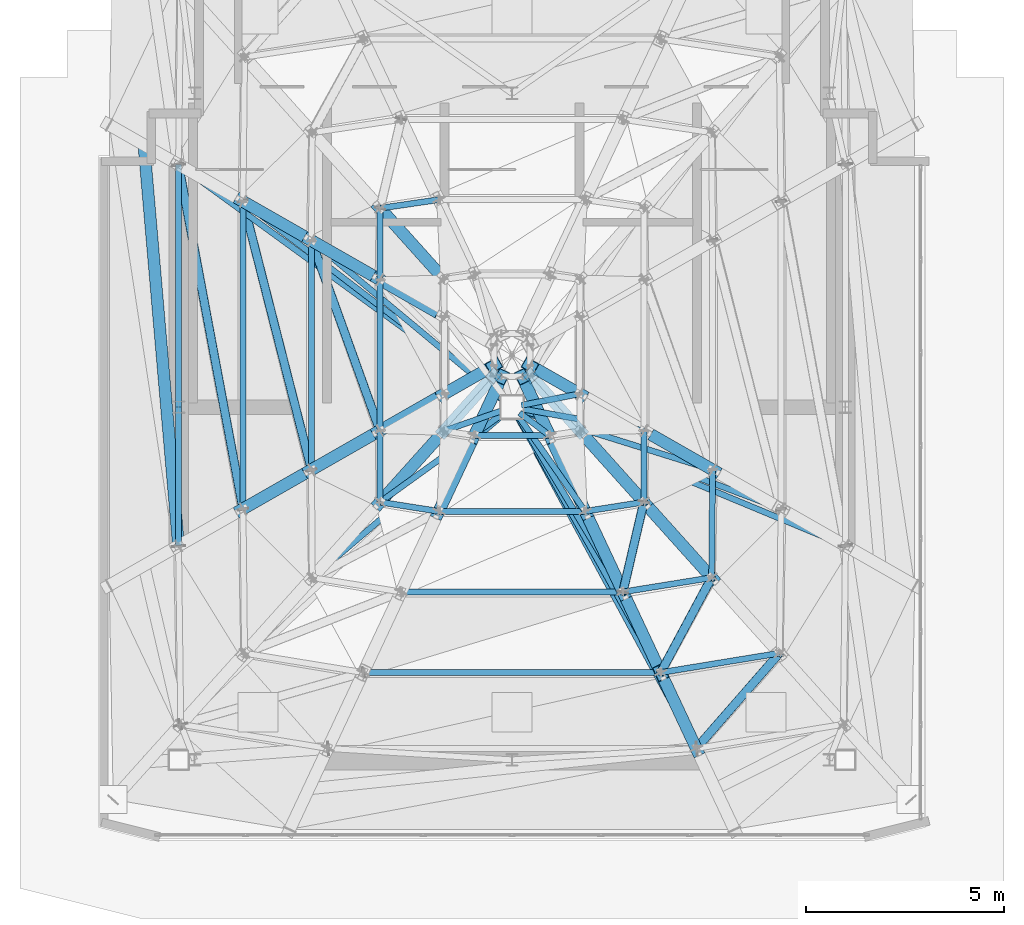
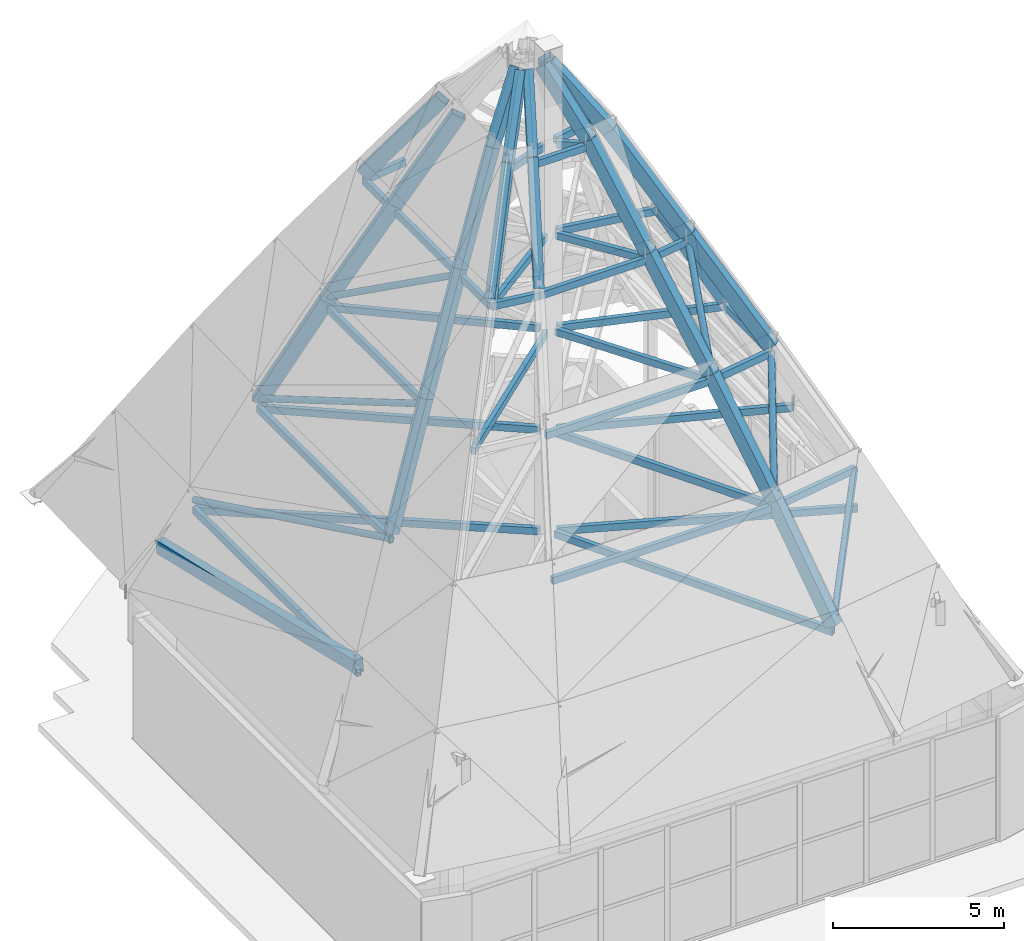
# One storey, part 5 of 30: 64 members.
"""IFC4 building model written with IfcOpenShell, lengths in metres."""

from ifc_helpers import new_model, si_unit, direction, frame, origin, origin_2d, place, context, subcontext, project, spatial, hollow_rectangle, hollow_circle, extrude, material, material_profile, profile_set, type_object, element, save


model = new_model("IFC4")

# Units and contexts
model_context = context("Model", 3, precision=1e-05, world=origin(), true_north=direction((0.0, 1.0)))
body_context = subcontext(model_context, "Body", "Model", "MODEL_VIEW")
ifc_project = project(units=[si_unit("LENGTHUNIT", "METRE"), si_unit("AREAUNIT", "SQUARE_METRE"), si_unit("VOLUMEUNIT", "CUBIC_METRE"), si_unit("PLANEANGLEUNIT", "RADIAN"), si_unit("MASSUNIT", "GRAM", prefix="KILO")], contexts=[model_context])

# Site, building, storey
site_placement = place(None, origin())
site = spatial("IfcSite", under=ifc_project, at=site_placement, CompositionType="ELEMENT")
building_placement = place(site_placement, origin())
building = spatial("IfcBuilding", under=site, at=building_placement, Name="Haolan Belvedere Tower", CompositionType="ELEMENT")
storey_placement = place(building_placement, frame((0.0, 0.0, 333.0)))
storey = spatial("IfcBuildingStorey", under=building, at=storey_placement, Name="L83", CompositionType="ELEMENT", Elevation=333.0)

# Members
ifc_material = material(Name="Steel Q355B", Category="steel")
ifc_material_profile_1 = material_profile(ifc_material, hollow_rectangle(XDim=0.300048828125, YDim=0.449951171875, WallThickness=0.01611328125, at=origin_2d()), Name="Steel Q355B")
ifc_profile_set_1 = profile_set([ifc_material_profile_1], Name="Steel Q355B")
member_type_1 = type_object("IfcMemberType", Name="MEM-BOX450x300x16", PredefinedType="RAFTER", material=ifc_profile_set_1)
member_1_placement = place(storey_placement, frame((29.122802734375, 41.9013671875, 6.302001953125), z_axis=(0.085110324596, -0.985256163185, 0.148413360428), x_axis=(0.996289658695, 0.086063441581, 0.0)))
element("IfcMember", 1, at=member_1_placement, inside=storey, type_object=member_type_1, Name="Crown frame Tier-1 diagonal hip rafter 11", PredefinedType="RAFTER", context=body_context, shape_type="SweptSolid", body=[
    extrude(hollow_rectangle(XDim=0.300048828125, YDim=0.449951171875, WallThickness=0.01611328125, at=origin_2d()), origin(), (0.0, 0.0, 1.0), 10.2548828125),
])
member_2_placement = place(storey_placement, frame((43.044677734375, 26.688720703125, 7.823974609375), z_axis=(-0.21439596678, 0.457533845183, 0.86295837092), x_axis=(-0.905514468929, -0.424315385721, 0.0)))
element("IfcMember", 2, at=member_2_placement, inside=storey, type_object=member_type_1, Name="Crown frame sloped hip rafter T2-03", PredefinedType="RAFTER", context=body_context, shape_type="SweptSolid", body=[
    extrude(hollow_rectangle(XDim=0.300048828125, YDim=0.449951171875, WallThickness=0.01611328125, at=origin_2d()), origin(), (0.0, 0.0, 1.0), 4.17919921875),
])
member_3_placement = place(storey_placement, frame((42.148681640625, 28.600830078125, 11.430419921875), z_axis=(-0.22394499879, 0.477806752548, 0.849440606951), x_axis=(-0.905478538001, -0.424392056027, 0.0)))
element("IfcMember", 3, at=member_3_placement, inside=storey, type_object=member_type_1, Name="Crown frame sloped hip rafter T3-03", PredefinedType="RAFTER", context=body_context, shape_type="SweptSolid", body=[
    extrude(hollow_rectangle(XDim=0.300048828125, YDim=0.449951171875, WallThickness=0.01611328125, at=origin_2d()), origin(), (0.0, 0.0, 1.0), 4.251708984375),
])
for number, where, z_axis, x_axis, name in (
    (4, (31.61962890625, 40.474609375, 11.430419921875), (0.418596556906, -0.239206493116, 0.876103404968), (0.49615216726, 0.868235582618, 0.0), "Crown frame sloped hip rafter T3-11"),
    (5, (31.61962890625, 32.7255859375, 11.430419921875), (0.418602486476, 0.239150656535, 0.876115815286), (-0.496059557682, 0.868288497697, 0.0), "Crown frame sloped hip rafter T3-12"),
):
    element("IfcMember", number, at=place(storey_placement, frame(where, z_axis=z_axis, x_axis=x_axis)), inside=storey, type_object=member_type_1, Name=name, PredefinedType="RAFTER", context=body_context, shape_type="SweptSolid", body=[
        extrude(hollow_rectangle(XDim=0.300048828125, YDim=0.449951171875, WallThickness=0.01611328125, at=origin_2d()), origin(), (0.0, 0.0, 1.0), 4.122314453125),
    ])
member_4_placement = place(storey_placement, frame((41.196533203125, 30.63232421875, 15.0419921875), z_axis=(-0.232640586583, 0.496486873803, 0.836288910374), x_axis=(-0.905520352072, -0.424302830516, 0.0)))
element("IfcMember", 6, at=member_4_placement, inside=storey, type_object=member_type_1, Name="Crown frame sloped hip rafter T4-03", PredefinedType="RAFTER", context=body_context, shape_type="SweptSolid", body=[
    extrude(hollow_rectangle(XDim=0.300048828125, YDim=0.449951171875, WallThickness=0.01611328125, at=origin_2d()), origin(), (0.0, 0.0, 1.0), 4.091796875),
])
member_5_placement = place(storey_placement, frame((43.431884765625, 30.9921875, 15.0419921875), z_axis=(-0.399889200029, 0.445661027583, 0.800921267163), x_axis=(-0.744294586256, -0.667851457189, 0.0)))
element("IfcMember", 7, at=member_5_placement, inside=storey, type_object=member_type_1, Name="Crown frame sloped hip rafter T4-04", PredefinedType="RAFTER", context=body_context, shape_type="SweptSolid", body=[
    extrude(hollow_rectangle(XDim=0.300048828125, YDim=0.449951171875, WallThickness=0.01611328125, at=origin_2d()), origin(), (0.0, 0.0, 1.0), 4.2724609375),
])
for number, where, z_axis, x_axis, name in (
    (8, (43.454833984375, 33.71142578125, 15.0419921875), (-0.436015098738, 0.249195554522, 0.864749911407), (-0.496205088775, -0.868205338543, 0.0), "Crown frame sloped hip rafter T4-05"),
    (9, (33.34521484375, 39.488525390625, 15.0419921875), (0.436015098738, -0.249195554522, 0.864749911407), (0.496205088775, 0.868205338543, 0.0), "Crown frame sloped hip rafter T4-11"),
    (10, (33.34521484375, 33.71142578125, 15.0419921875), (0.436015098738, 0.249195554522, 0.864749911407), (-0.496205088775, 0.868205338543, 0.0), "Crown frame sloped hip rafter T4-12"),
):
    element("IfcMember", number, at=place(storey_placement, frame(where, z_axis=z_axis, x_axis=x_axis)), inside=storey, type_object=member_type_1, Name=name, PredefinedType="RAFTER", context=body_context, shape_type="SweptSolid", body=[
        extrude(hollow_rectangle(XDim=0.300048828125, YDim=0.449951171875, WallThickness=0.01611328125, at=origin_2d()), origin(), (0.0, 0.0, 1.0), 3.95703125),
    ])
member_6_placement = place(storey_placement, frame((35.076416015625, 32.896240234375, 18.4638671875), z_axis=(0.40204336548, 0.448003385854, 0.798532465549), x_axis=(-0.744251330304, 0.667899661132, 0.0)))
element("IfcMember", 11, at=member_6_placement, inside=storey, type_object=member_type_1, Name="Crown frame sloped hip rafter T5-01", PredefinedType="RAFTER", context=body_context, shape_type="SweptSolid", body=[
    extrude(hollow_rectangle(XDim=0.300048828125, YDim=0.449951171875, WallThickness=0.01611328125, at=origin_2d()), origin(), (0.0, 0.0, 1.0), 4.0),
])
for number, where, z_axis, x_axis, name in (
    (12, (36.555419921875, 32.663818359375, 18.4638671875), (0.234010464565, 0.499328596188, 0.834212236486), (-0.905493649516, 0.42435981276, 0.0), "Crown frame sloped hip rafter T5-02"),
    (13, (40.24462890625, 32.663818359375, 18.4638671875), (-0.234010464565, 0.499328596188, 0.834212236486), (-0.905493649516, -0.42435981276, 0.0), "Crown frame sloped hip rafter T5-03"),
):
    element("IfcMember", number, at=place(storey_placement, frame(where, z_axis=z_axis, x_axis=x_axis)), inside=storey, type_object=member_type_1, Name=name, PredefinedType="RAFTER", context=body_context, shape_type="SweptSolid", body=[
        extrude(hollow_rectangle(XDim=0.300048828125, YDim=0.449951171875, WallThickness=0.01611328125, at=origin_2d()), origin(), (0.0, 0.0, 1.0), 3.828857421875),
    ])
member_7_placement = place(storey_placement, frame((41.723388671875, 32.896240234375, 18.4638671875), z_axis=(-0.401992193484, 0.448014379012, 0.798552060029), x_axis=(-0.744301734368, -0.66784349081, 0.0)))
element("IfcMember", 14, at=member_7_placement, inside=storey, type_object=member_type_1, Name="Crown frame sloped hip rafter T5-04", PredefinedType="RAFTER", context=body_context, shape_type="SweptSolid", body=[
    extrude(hollow_rectangle(XDim=0.300048828125, YDim=0.449951171875, WallThickness=0.01611328125, at=origin_2d()), origin(), (0.0, 0.0, 1.0), 3.999755859375),
])
member_8_placement = place(storey_placement, frame((35.076416015625, 40.3037109375, 18.4638671875), z_axis=(0.40204336548, -0.448003385854, 0.798532465549), x_axis=(0.744251330304, 0.667899661132, 0.0)))
element("IfcMember", 15, at=member_8_placement, inside=storey, type_object=member_type_1, Name="Crown frame sloped hip rafter T5-10", PredefinedType="RAFTER", context=body_context, shape_type="SweptSolid", body=[
    extrude(hollow_rectangle(XDim=0.300048828125, YDim=0.449951171875, WallThickness=0.01611328125, at=origin_2d()), origin(), (0.0, 0.0, 1.0), 4.0),
])
for number, where, z_axis, x_axis, name in (
    (16, (35.070556640625, 38.50244140625, 18.4638671875), (0.438751923592, -0.250705962353, 0.862927152189), (0.496124881772, 0.868251174308, 0.0), "Crown frame sloped hip rafter T5-11"),
    (17, (35.070556640625, 34.697509765625, 18.4638671875), (0.438751923592, 0.250705962353, 0.862927152189), (-0.496124881772, 0.868251174308, 0.0), "Crown frame sloped hip rafter T5-12"),
):
    element("IfcMember", number, at=place(storey_placement, frame(where, z_axis=z_axis, x_axis=x_axis)), inside=storey, type_object=member_type_1, Name=name, PredefinedType="RAFTER", context=body_context, shape_type="SweptSolid", body=[
        extrude(hollow_rectangle(XDim=0.300048828125, YDim=0.449951171875, WallThickness=0.01611328125, at=origin_2d()), origin(), (0.0, 0.0, 1.0), 3.701416015625),
    ])
member_9_placement = place(storey_placement, frame((36.6845703125, 34.688232421875, 21.657958984375), z_axis=(0.457044763335, 0.509410765058, 0.729116421946), x_axis=(-0.744328523594, 0.667813633407, 0.0)))
element("IfcMember", 18, at=member_9_placement, inside=storey, type_object=member_type_1, Name="Crown frame sloped hip rafter T6-01", PredefinedType="RAFTER", context=body_context, shape_type="SweptSolid", body=[
    extrude(hollow_rectangle(XDim=0.300048828125, YDim=0.449951171875, WallThickness=0.01611328125, at=origin_2d()), origin(), (0.0, 0.0, 1.0), 2.741455078125),
])
for number, where, z_axis, x_axis, name in (
    (19, (37.451416015625, 34.57568359375, 21.657958984375), (0.268736515548, 0.573487316155, 0.773881763204), (-0.905510910393, 0.424322979767, 0.0), "Crown frame sloped hip rafter T6-02"),
    (20, (39.3486328125, 34.57568359375, 21.657958984375), (-0.268736515548, 0.573487316155, 0.773881763204), (-0.905510910393, -0.424322979767, 0.0), "Crown frame sloped hip rafter T6-03"),
):
    element("IfcMember", number, at=place(storey_placement, frame(where, z_axis=z_axis, x_axis=x_axis)), inside=storey, type_object=member_type_1, Name=name, PredefinedType="RAFTER", context=body_context, shape_type="SweptSolid", body=[
        extrude(hollow_rectangle(XDim=0.300048828125, YDim=0.449951171875, WallThickness=0.01611328125, at=origin_2d()), origin(), (0.0, 0.0, 1.0), 2.582763671875),
    ])
member_10_placement = place(storey_placement, frame((40.115478515625, 34.688232421875, 21.657958984375), z_axis=(-0.457115213578, 0.509390029547, 0.72908674334), x_axis=(-0.744263842959, -0.667885717817, 0.0)))
element("IfcMember", 21, at=member_10_placement, inside=storey, type_object=member_type_1, Name="Crown frame sloped hip rafter T6-04", PredefinedType="RAFTER", context=body_context, shape_type="SweptSolid", body=[
    extrude(hollow_rectangle(XDim=0.300048828125, YDim=0.449951171875, WallThickness=0.01611328125, at=origin_2d()), origin(), (0.0, 0.0, 1.0), 2.741455078125),
])
for number, where, z_axis, x_axis, name in (
    (22, (40.10546875, 35.62548828125, 21.657958984375), (-0.507446198604, 0.289997573655, 0.811418364838), (-0.496175461691, -0.868222270629, 0.0), "Crown frame sloped hip rafter T6-05"),
    (23, (36.694580078125, 35.62548828125, 21.657958984375), (0.507446198604, 0.289997573655, 0.811418364838), (-0.496175461691, 0.868222270629, 0.0), "Crown frame sloped hip rafter T6-12"),
):
    element("IfcMember", number, at=place(storey_placement, frame(where, z_axis=z_axis, x_axis=x_axis)), inside=storey, type_object=member_type_1, Name=name, PredefinedType="RAFTER", context=body_context, shape_type="SweptSolid", body=[
        extrude(hollow_rectangle(XDim=0.300048828125, YDim=0.449951171875, WallThickness=0.01611328125, at=origin_2d()), origin(), (0.0, 0.0, 1.0), 2.46337890625),
    ])
ifc_material_profile_2 = material_profile(ifc_material, hollow_circle(Radius=0.109619140625, WallThickness=0.010009765625, at=origin_2d()), Name="Steel Q355B")
ifc_profile_set_2 = profile_set([ifc_material_profile_2], Name="Steel Q355B")
member_type_2 = type_object("IfcMemberType", Name="MEM-CHS219x10", PredefinedType="STRUT", material=ifc_profile_set_2)
member_11_placement = place(storey_placement, frame((43.044677734375, 26.688720703125, 7.924072265625), z_axis=(0.456435967755, 0.522583025524, 0.720120259938), x_axis=(-0.753165056405, 0.657831587727, 0.0)))
element("IfcMember", 24, at=member_11_placement, inside=storey, type_object=member_type_2, Name="Crown frame wind brace strut T2-03", PredefinedType="STRUT", context=body_context, shape_type="SweptSolid", body=[
    extrude(hollow_circle(Radius=0.109619140625, WallThickness=0.010009765625, at=origin_2d()), origin(), (0.0, 0.0, 1.0), 4.591552734375),
])
member_12_placement = place(storey_placement, frame((29.99560546875, 41.402587890625, 7.924072265625), z_axis=(0.172281625364, -0.920484252413, 0.350753164808), x_axis=(0.982931935377, 0.183969591011, 0.0)))
element("IfcMember", 25, at=member_12_placement, inside=storey, type_object=member_type_2, Name="Crown frame wind brace strut T2-11", PredefinedType="STRUT", context=body_context, shape_type="SweptSolid", body=[
    extrude(hollow_circle(Radius=0.109619140625, WallThickness=0.010009765625, at=origin_2d()), origin(), (0.0, 0.0, 1.0), 9.426513671875),
])
member_13_placement = place(storey_placement, frame((42.148681640625, 28.600830078125, 11.530517578125), z_axis=(0.299707584199, 0.558530400918, 0.77344628464), x_axis=(-0.881154783166, 0.472827926526, 0.0)))
element("IfcMember", 26, at=member_13_placement, inside=storey, type_object=member_type_2, Name="Crown frame wind brace strut T3-03", PredefinedType="STRUT", context=body_context, shape_type="SweptSolid", body=[
    extrude(hollow_circle(Radius=0.109619140625, WallThickness=0.010009765625, at=origin_2d()), origin(), (0.0, 0.0, 1.0), 4.281494140625),
])
member_14_placement = place(storey_placement, frame((31.61962890625, 40.474609375, 11.530517578125), z_axis=(0.223360236886, -0.875428025214, 0.428644348206), x_axis=(0.96895836884, 0.247223945959, 0.0)))
element("IfcMember", 27, at=member_14_placement, inside=storey, type_object=member_type_2, Name="Crown frame wind brace strut T3-11", PredefinedType="STRUT", context=body_context, shape_type="SweptSolid", body=[
    extrude(hollow_circle(Radius=0.109619140625, WallThickness=0.010009765625, at=origin_2d()), origin(), (0.0, 0.0, 1.0), 7.7255859375),
])
member_15_placement = place(storey_placement, frame((41.196533203125, 30.63232421875, 15.14208984375), z_axis=(0.135364236498, 0.581664766006, 0.80208641895), x_axis=(-0.973973525603, 0.22666179966, 0.0)))
element("IfcMember", 28, at=member_15_placement, inside=storey, type_object=member_type_2, Name="Crown frame wind brace strut T4-03", PredefinedType="STRUT", context=body_context, shape_type="SweptSolid", body=[
    extrude(hollow_circle(Radius=0.109619140625, WallThickness=0.010009765625, at=origin_2d()), origin(), (0.0, 0.0, 1.0), 3.89208984375),
])
member_16_placement = place(storey_placement, frame((33.34521484375, 39.488525390625, 15.14208984375), z_axis=(0.288858017372, -0.802115428456, 0.522658478581), x_axis=(0.940851346738, 0.33881963246, 0.0)))
element("IfcMember", 29, at=member_16_placement, inside=storey, type_object=member_type_2, Name="Crown frame wind brace strut T4-11", PredefinedType="STRUT", context=body_context, shape_type="SweptSolid", body=[
    extrude(hollow_circle(Radius=0.109619140625, WallThickness=0.010009765625, at=origin_2d()), origin(), (0.0, 0.0, 1.0), 5.972900390625),
])
ifc_material_profile_3 = material_profile(ifc_material, hollow_rectangle(XDim=0.14990234375, YDim=0.25, WallThickness=0.010009765625, at=origin_2d()), Name="Steel Q355B")
ifc_profile_set_3 = profile_set([ifc_material_profile_3], Name="Steel Q355B")
member_type_3 = type_object("IfcMemberType", Name="MEM-RHS250x150x10", PredefinedType="PURLIN", material=ifc_profile_set_3)
member_17_placement = place(storey_placement, frame((30.0, 35.2900390625, 7.583984375), z_axis=(-0.000718935789, 0.999999741566, 0.0), x_axis=(-0.999999741566, -0.000718935789, 0.0)))
element("IfcMember", 30, at=member_17_placement, inside=storey, type_object=member_type_3, Name="Crown Tier-1 post-to-ring chord 11", PredefinedType="STRUT", context=body_context, shape_type="SweptSolid", body=[
    extrude(hollow_rectangle(XDim=0.14990234375, YDim=0.25, WallThickness=0.010009765625, at=origin_2d()), origin(), (0.0, 0.0, 1.0), 6.112548828125),
])
member_18_placement = place(storey_placement, frame((30.0, 35.2900390625, 7.583984375), z_axis=(-0.001258300297, -0.99999920834, 0.0), x_axis=(0.99999920834, -0.001258300297, 0.0)))
element("IfcMember", 31, at=member_18_placement, inside=storey, type_object=member_type_3, Name="Crown Tier-1 post-to-ring chord 12", PredefinedType="STRUT", context=body_context, shape_type="SweptSolid", body=[
    extrude(hollow_rectangle(XDim=0.14990234375, YDim=0.25, WallThickness=0.010009765625, at=origin_2d()), origin(), (0.0, 0.0, 1.0), 3.492431640625),
])
member_19_placement = place(storey_placement, frame((38.513916015625, 35.078857421875, 7.583984375), z_axis=(0.475156051125, -0.879901543969, 0.0), x_axis=(0.879901543969, 0.475156051125, 0.0)))
element("IfcMember", 32, at=member_19_placement, inside=storey, type_object=member_type_3, Name="Crown frame radial tie purlin T1-03", PredefinedType="PURLIN", context=body_context, shape_type="SweptSolid", body=[
    extrude(hollow_rectangle(XDim=0.14990234375, YDim=0.25, WallThickness=0.010009765625, at=origin_2d()), origin(), (0.0, 0.0, 1.0), 9.535400390625),
])
member_20_placement = place(storey_placement, frame((38.62158203125, 35.197998046875, 7.583984375), z_axis=(0.923442499479, -0.383736824082, 0.0), x_axis=(0.383736824082, 0.923442499479, 0.0)))
element("IfcMember", 33, at=member_20_placement, inside=storey, type_object=member_type_3, Name="Crown frame radial tie purlin T1-05", PredefinedType="PURLIN", context=body_context, shape_type="SweptSolid", body=[
    extrude(hollow_rectangle(XDim=0.14990234375, YDim=0.25, WallThickness=0.010009765625, at=origin_2d()), origin(), (0.0, 0.0, 1.0), 8.861328125),
])
member_21_placement = place(storey_placement, frame((38.205810546875, 35.43115234375, 7.583984375), z_axis=(-0.808718405229, 0.588196005635, 0.0), x_axis=(-0.588196005635, -0.808718405229, 0.0)))
element("IfcMember", 34, at=member_21_placement, inside=storey, type_object=member_type_3, Name="Crown frame radial tie purlin T1-11", PredefinedType="PURLIN", context=body_context, shape_type="SweptSolid", body=[
    extrude(hollow_rectangle(XDim=0.14990234375, YDim=0.25, WallThickness=0.010009765625, at=origin_2d()), origin(), (0.0, 0.0, 1.0), 10.152099609375),
])
member_22_placement = place(storey_placement, frame((38.517333984375, 35.08056640625, 11.1904296875), z_axis=(0.488879580303, -0.872351280141, 0.0), x_axis=(0.872351280141, 0.488879580303, 0.0)))
element("IfcMember", 35, at=member_22_placement, inside=storey, type_object=member_type_3, Name="Crown frame radial tie purlin T2-03", PredefinedType="PURLIN", context=body_context, shape_type="SweptSolid", body=[
    extrude(hollow_rectangle(XDim=0.14990234375, YDim=0.25, WallThickness=0.010009765625, at=origin_2d()), origin(), (0.0, 0.0, 1.0), 7.427978515625),
])
member_23_placement = place(storey_placement, frame((38.62451171875, 35.205078125, 11.1904296875), z_axis=(0.935339218074, -0.353752098416, 0.0), x_axis=(0.353752098416, 0.935339218074, 0.0)))
element("IfcMember", 36, at=member_23_placement, inside=storey, type_object=member_type_3, Name="Crown frame radial tie purlin T2-05", PredefinedType="PURLIN", context=body_context, shape_type="SweptSolid", body=[
    extrude(hollow_rectangle(XDim=0.14990234375, YDim=0.25, WallThickness=0.010009765625, at=origin_2d()), origin(), (0.0, 0.0, 1.0), 7.009033203125),
])
member_24_placement = place(storey_placement, frame((38.209228515625, 35.435791015625, 11.1904296875), z_axis=(-0.794374540282, 0.607428258934, 0.0), x_axis=(-0.607428258934, -0.794374540282, 0.0)))
element("IfcMember", 37, at=member_24_placement, inside=storey, type_object=member_type_3, Name="Crown frame radial tie purlin T2-11", PredefinedType="PURLIN", context=body_context, shape_type="SweptSolid", body=[
    extrude(hollow_rectangle(XDim=0.14990234375, YDim=0.25, WallThickness=0.010009765625, at=origin_2d()), origin(), (0.0, 0.0, 1.0), 8.29541015625),
])
member_25_placement = place(storey_placement, frame((38.217529296875, 35.134033203125, 14.802001953125), z_axis=(-0.760414637878, -0.649437894261, 0.0), x_axis=(0.649437894261, -0.760414637878, 0.0)))
element("IfcMember", 38, at=member_25_placement, inside=storey, type_object=member_type_3, Name="Crown frame radial tie purlin T3-01", PredefinedType="PURLIN", context=body_context, shape_type="SweptSolid", body=[
    extrude(hollow_rectangle(XDim=0.14990234375, YDim=0.25, WallThickness=0.010009765625, at=origin_2d()), origin(), (0.0, 0.0, 1.0), 6.377685546875),
])
member_26_placement = place(storey_placement, frame((38.5234375, 35.084228515625, 14.802001953125), z_axis=(0.514772290208, -0.85732694419, 0.0), x_axis=(0.85732694419, 0.514772290208, 0.0)))
element("IfcMember", 39, at=member_26_placement, inside=storey, type_object=member_type_3, Name="Crown frame radial tie purlin T3-03", PredefinedType="PURLIN", context=body_context, shape_type="SweptSolid", body=[
    extrude(hollow_rectangle(XDim=0.14990234375, YDim=0.25, WallThickness=0.010009765625, at=origin_2d()), origin(), (0.0, 0.0, 1.0), 5.19287109375),
])
member_27_placement = place(storey_placement, frame((38.629150390625, 35.218505859375, 14.802001953125), z_axis=(0.954533238323, -0.298104506737, 0.0), x_axis=(0.298104506737, 0.954533238323, 0.0)))
element("IfcMember", 40, at=member_27_placement, inside=storey, type_object=member_type_3, Name="Crown frame radial tie purlin T3-05", PredefinedType="PURLIN", context=body_context, shape_type="SweptSolid", body=[
    extrude(hollow_rectangle(XDim=0.14990234375, YDim=0.25, WallThickness=0.010009765625, at=origin_2d()), origin(), (0.0, 0.0, 1.0), 5.0556640625),
])
member_28_placement = place(storey_placement, frame((38.21533203125, 35.443359375, 14.802001953125), z_axis=(-0.769250733011, 0.638947032047, 0.0), x_axis=(-0.638947032047, -0.769250733011, 0.0)))
element("IfcMember", 41, at=member_28_placement, inside=storey, type_object=member_type_3, Name="Crown frame radial tie purlin T3-11", PredefinedType="PURLIN", context=body_context, shape_type="SweptSolid", body=[
    extrude(hollow_rectangle(XDim=0.14990234375, YDim=0.25, WallThickness=0.010009765625, at=origin_2d()), origin(), (0.0, 0.0, 1.0), 6.3310546875),
])
member_29_placement = place(storey_placement, frame((38.205322265625, 35.149658203125, 18.223876953125), z_axis=(-0.811459876662, -0.584408135268, 0.0), x_axis=(0.584408135268, -0.811459876662, 0.0)))
element("IfcMember", 42, at=member_29_placement, inside=storey, type_object=member_type_3, Name="Crown frame radial tie purlin T4-01", PredefinedType="PURLIN", context=body_context, shape_type="SweptSolid", body=[
    extrude(hollow_rectangle(XDim=0.14990234375, YDim=0.25, WallThickness=0.010009765625, at=origin_2d()), origin(), (0.0, 0.0, 1.0), 3.85595703125),
])
member_30_placement = place(storey_placement, frame((38.537841796875, 35.093505859375, 18.223876953125), z_axis=(0.574819059741, -0.81828054392, 0.0), x_axis=(0.81828054392, 0.574819059741, 0.0)))
element("IfcMember", 43, at=member_30_placement, inside=storey, type_object=member_type_3, Name="Crown frame radial tie purlin T4-03", PredefinedType="PURLIN", context=body_context, shape_type="SweptSolid", body=[
    extrude(hollow_rectangle(XDim=0.14990234375, YDim=0.25, WallThickness=0.010009765625, at=origin_2d()), origin(), (0.0, 0.0, 1.0), 2.96923828125),
])
member_31_placement = place(storey_placement, frame((38.63623046875, 35.248046875, 18.223876953125), z_axis=(0.984528267317, -0.175225828161, 0.0), x_axis=(0.175225828161, 0.984528267317, 0.0)))
element("IfcMember", 44, at=member_31_placement, inside=storey, type_object=member_type_3, Name="Crown frame radial tie purlin T4-05", PredefinedType="PURLIN", context=body_context, shape_type="SweptSolid", body=[
    extrude(hollow_rectangle(XDim=0.14990234375, YDim=0.25, WallThickness=0.010009765625, at=origin_2d()), origin(), (0.0, 0.0, 1.0), 3.141845703125),
])
member_32_placement = place(storey_placement, frame((38.173583984375, 35.210693359375, 21.41796875), z_axis=(-0.943599982133, -0.331087713029, 0.0), x_axis=(0.331087713029, -0.943599982133, 0.0)))
element("IfcMember", 45, at=member_32_placement, inside=storey, type_object=member_type_3, Name="Crown frame radial tie purlin T5-01", PredefinedType="PURLIN", context=body_context, shape_type="SweptSolid", body=[
    extrude(hollow_rectangle(XDim=0.14990234375, YDim=0.25, WallThickness=0.010009765625, at=origin_2d()), origin(), (0.0, 0.0, 1.0), 1.578125),
])
member_33_placement = place(storey_placement, frame((38.591796875, 35.1455078125, 21.41796875), z_axis=(0.798885337509, -0.60148334766, 0.0), x_axis=(0.60148334766, 0.798885337509, 0.0)))
element("IfcMember", 46, at=member_33_placement, inside=storey, type_object=member_type_3, Name="Crown frame radial tie purlin T5-03", PredefinedType="PURLIN", context=body_context, shape_type="SweptSolid", body=[
    extrude(hollow_rectangle(XDim=0.14990234375, YDim=0.25, WallThickness=0.010009765625, at=origin_2d()), origin(), (0.0, 0.0, 1.0), 0.947265625),
])
member_34_placement = place(storey_placement, frame((38.635498046875, 35.336181640625, 21.41796875), z_axis=(0.981177756347, 0.193106733312, 0.0), x_axis=(-0.193106733312, 0.981177756347, 0.0)))
element("IfcMember", 47, at=member_34_placement, inside=storey, type_object=member_type_3, Name="Crown frame radial tie purlin T5-05", PredefinedType="PURLIN", context=body_context, shape_type="SweptSolid", body=[
    extrude(hollow_rectangle(XDim=0.14990234375, YDim=0.25, WallThickness=0.010009765625, at=origin_2d()), origin(), (0.0, 0.0, 1.0), 1.498291015625),
])
member_35_placement = place(storey_placement, frame((29.99560546875, 41.402587890625, 7.583984375), z_axis=(0.0, -1.0, 0.0), x_axis=(1.0, 0.0, 0.0)))
element("IfcMember", 48, at=member_35_placement, inside=storey, type_object=member_type_3, Name="Crown frame horizontal ring purlin T1-11", PredefinedType="PURLIN", context=body_context, shape_type="SweptSolid", body=[
    extrude(hollow_rectangle(XDim=0.14990234375, YDim=0.25, WallThickness=0.010009765625, at=origin_2d()), origin(), (0.0, 0.0, 1.0), 9.60498046875),
])
member_36_placement = place(storey_placement, frame((34.6513671875, 28.600830078125, 11.1904296875), z_axis=(1.0, 0.0, 0.0), x_axis=(0.0, 1.0, 0.0)))
element("IfcMember", 49, at=member_36_placement, inside=storey, type_object=member_type_3, Name="Crown frame horizontal ring purlin T2-02", PredefinedType="PURLIN", context=body_context, shape_type="SweptSolid", body=[
    extrude(hollow_rectangle(XDim=0.14990234375, YDim=0.25, WallThickness=0.010009765625, at=origin_2d()), origin(), (0.0, 0.0, 1.0), 7.497314453125),
])
member_37_placement = place(storey_placement, frame((42.148681640625, 28.600830078125, 11.1904296875), z_axis=(0.986992412933, 0.160766839906, 0.0), x_axis=(-0.160766839906, 0.986992412933, 0.0)))
element("IfcMember", 50, at=member_37_placement, inside=storey, type_object=member_type_3, Name="Crown frame horizontal ring purlin T2-03", PredefinedType="PURLIN", context=body_context, shape_type="SweptSolid", body=[
    extrude(hollow_rectangle(XDim=0.14990234375, YDim=0.25, WallThickness=0.010009765625, at=origin_2d()), origin(), (0.0, 0.0, 1.0), 3.031005859375),
])
member_38_placement = place(storey_placement, frame((31.61962890625, 40.474609375, 11.1904296875), z_axis=(0.0, -1.0, 0.0), x_axis=(1.0, 0.0, 0.0)))
element("IfcMember", 51, at=member_38_placement, inside=storey, type_object=member_type_3, Name="Crown frame horizontal ring purlin T2-11", PredefinedType="PURLIN", context=body_context, shape_type="SweptSolid", body=[
    extrude(hollow_rectangle(XDim=0.14990234375, YDim=0.25, WallThickness=0.010009765625, at=origin_2d()), origin(), (0.0, 0.0, 1.0), 7.7490234375),
])
member_39_placement = place(storey_placement, frame((35.603515625, 30.63232421875, 14.802001953125), z_axis=(1.0, 0.0, 0.0), x_axis=(0.0, 1.0, 0.0)))
element("IfcMember", 52, at=member_39_placement, inside=storey, type_object=member_type_3, Name="Crown frame horizontal ring purlin T3-02", PredefinedType="PURLIN", context=body_context, shape_type="SweptSolid", body=[
    extrude(hollow_rectangle(XDim=0.14990234375, YDim=0.25, WallThickness=0.010009765625, at=origin_2d()), origin(), (0.0, 0.0, 1.0), 5.593017578125),
])
member_40_placement = place(storey_placement, frame((41.196533203125, 30.63232421875, 14.802001953125), z_axis=(0.987288102754, 0.158940876306, 0.0), x_axis=(-0.158940876306, 0.987288102754, 0.0)))
element("IfcMember", 53, at=member_40_placement, inside=storey, type_object=member_type_3, Name="Crown frame horizontal ring purlin T3-03", PredefinedType="PURLIN", context=body_context, shape_type="SweptSolid", body=[
    extrude(hollow_rectangle(XDim=0.14990234375, YDim=0.25, WallThickness=0.010009765625, at=origin_2d()), origin(), (0.0, 0.0, 1.0), 2.26416015625),
])
member_41_placement = place(storey_placement, frame((43.431884765625, 30.9921875, 14.802001953125), z_axis=(0.008439275681, 0.999964388679, 0.0), x_axis=(-0.999964388679, 0.008439275681, 0.0)))
element("IfcMember", 54, at=member_41_placement, inside=storey, type_object=member_type_3, Name="Crown frame horizontal ring purlin T3-04", PredefinedType="PURLIN", context=body_context, shape_type="SweptSolid", body=[
    extrude(hollow_rectangle(XDim=0.14990234375, YDim=0.25, WallThickness=0.010009765625, at=origin_2d()), origin(), (0.0, 0.0, 1.0), 2.71923828125),
])
member_42_placement = place(storey_placement, frame((33.34521484375, 39.488525390625, 14.802001953125), z_axis=(0.0, -1.0, 0.0), x_axis=(1.0, 0.0, 0.0)))
element("IfcMember", 55, at=member_42_placement, inside=storey, type_object=member_type_3, Name="Crown frame horizontal ring purlin T3-11", PredefinedType="PURLIN", context=body_context, shape_type="SweptSolid", body=[
    extrude(hollow_rectangle(XDim=0.14990234375, YDim=0.25, WallThickness=0.010009765625, at=origin_2d()), origin(), (0.0, 0.0, 1.0), 5.777099609375),
])
member_43_placement = place(storey_placement, frame((35.076416015625, 32.896240234375, 18.223876953125), z_axis=(0.987876410888, -0.155242380846, 0.0), x_axis=(0.155242380846, 0.987876410888, 0.0)))
element("IfcMember", 56, at=member_43_placement, inside=storey, type_object=member_type_3, Name="Crown frame horizontal ring purlin T4-01", PredefinedType="PURLIN", context=body_context, shape_type="SweptSolid", body=[
    extrude(hollow_rectangle(XDim=0.14990234375, YDim=0.25, WallThickness=0.010009765625, at=origin_2d()), origin(), (0.0, 0.0, 1.0), 1.4970703125),
])
member_44_placement = place(storey_placement, frame((36.555419921875, 32.663818359375, 18.223876953125), z_axis=(1.0, 0.0, 0.0), x_axis=(0.0, 1.0, 0.0)))
element("IfcMember", 57, at=member_44_placement, inside=storey, type_object=member_type_3, Name="Crown frame horizontal ring purlin T4-02", PredefinedType="PURLIN", context=body_context, shape_type="SweptSolid", body=[
    extrude(hollow_rectangle(XDim=0.14990234375, YDim=0.25, WallThickness=0.010009765625, at=origin_2d()), origin(), (0.0, 0.0, 1.0), 3.689208984375),
])
member_45_placement = place(storey_placement, frame((40.24462890625, 32.663818359375, 18.223876953125), z_axis=(0.987872479926, 0.155267393246, 0.0), x_axis=(-0.155267393246, 0.987872479926, 0.0)))
element("IfcMember", 58, at=member_45_placement, inside=storey, type_object=member_type_3, Name="Crown frame horizontal ring purlin T4-03", PredefinedType="PURLIN", context=body_context, shape_type="SweptSolid", body=[
    extrude(hollow_rectangle(XDim=0.14990234375, YDim=0.25, WallThickness=0.010009765625, at=origin_2d()), origin(), (0.0, 0.0, 1.0), 1.496826171875),
])
member_46_placement = place(storey_placement, frame((41.723388671875, 32.896240234375, 18.223876953125), z_axis=(0.003388432703, 0.999994259245, 0.0), x_axis=(-0.999994259245, 0.003388432703, 0.0)))
element("IfcMember", 59, at=member_46_placement, inside=storey, type_object=member_type_3, Name="Crown frame horizontal ring purlin T4-04", PredefinedType="PURLIN", context=body_context, shape_type="SweptSolid", body=[
    extrude(hollow_rectangle(XDim=0.14990234375, YDim=0.25, WallThickness=0.010009765625, at=origin_2d()), origin(), (0.0, 0.0, 1.0), 1.80126953125),
])
member_47_placement = place(storey_placement, frame((36.5556640625, 40.519287109375, 18.223876953125), z_axis=(-0.989547066302, -0.144210275548, 0.0), x_axis=(0.144210275548, -0.989547066302, 0.0)))
element("IfcMember", 60, at=member_47_placement, inside=storey, type_object=member_type_3, Name="Crown frame horizontal ring purlin T4-09", PredefinedType="PURLIN", context=body_context, shape_type="SweptSolid", body=[
    extrude(hollow_rectangle(XDim=0.14990234375, YDim=0.25, WallThickness=0.010009765625, at=origin_2d()), origin(), (0.0, 0.0, 1.0), 1.494873046875),
])
member_48_placement = place(storey_placement, frame((35.076416015625, 40.3037109375, 18.223876953125), z_axis=(-0.003252896859, -0.999994709317, 0.0), x_axis=(0.999994709317, -0.003252896859, 0.0)))
element("IfcMember", 61, at=member_48_placement, inside=storey, type_object=member_type_3, Name="Crown frame horizontal ring purlin T4-10", PredefinedType="PURLIN", context=body_context, shape_type="SweptSolid", body=[
    extrude(hollow_rectangle(XDim=0.14990234375, YDim=0.25, WallThickness=0.010009765625, at=origin_2d()), origin(), (0.0, 0.0, 1.0), 1.80126953125),
])
member_49_placement = place(storey_placement, frame((35.070556640625, 38.50244140625, 18.223876953125), z_axis=(0.0, -1.0, 0.0), x_axis=(1.0, 0.0, 0.0)))
element("IfcMember", 62, at=member_49_placement, inside=storey, type_object=member_type_3, Name="Crown frame horizontal ring purlin T4-11", PredefinedType="PURLIN", context=body_context, shape_type="SweptSolid", body=[
    extrude(hollow_rectangle(XDim=0.14990234375, YDim=0.25, WallThickness=0.010009765625, at=origin_2d()), origin(), (0.0, 0.0, 1.0), 3.804931640625),
])
member_50_placement = place(storey_placement, frame((35.070556640625, 34.697509765625, 18.223876953125), z_axis=(0.003252896859, -0.999994709317, 0.0), x_axis=(0.999994709317, 0.003252896859, 0.0)))
element("IfcMember", 63, at=member_50_placement, inside=storey, type_object=member_type_3, Name="Crown frame horizontal ring purlin T4-12", PredefinedType="PURLIN", context=body_context, shape_type="SweptSolid", body=[
    extrude(hollow_rectangle(XDim=0.14990234375, YDim=0.25, WallThickness=0.010009765625, at=origin_2d()), origin(), (0.0, 0.0, 1.0), 1.80126953125),
])
member_51_placement = place(storey_placement, frame((37.451416015625, 34.57568359375, 21.41796875), z_axis=(1.0, 0.0, 0.0), x_axis=(0.0, 1.0, 0.0)))
element("IfcMember", 64, at=member_51_placement, inside=storey, type_object=member_type_3, Name="Crown frame horizontal ring purlin T5-02", PredefinedType="PURLIN", context=body_context, shape_type="SweptSolid", body=[
    extrude(hollow_rectangle(XDim=0.14990234375, YDim=0.25, WallThickness=0.010009765625, at=origin_2d()), origin(), (0.0, 0.0, 1.0), 1.897216796875),
])

save(model, "model.ifc")
